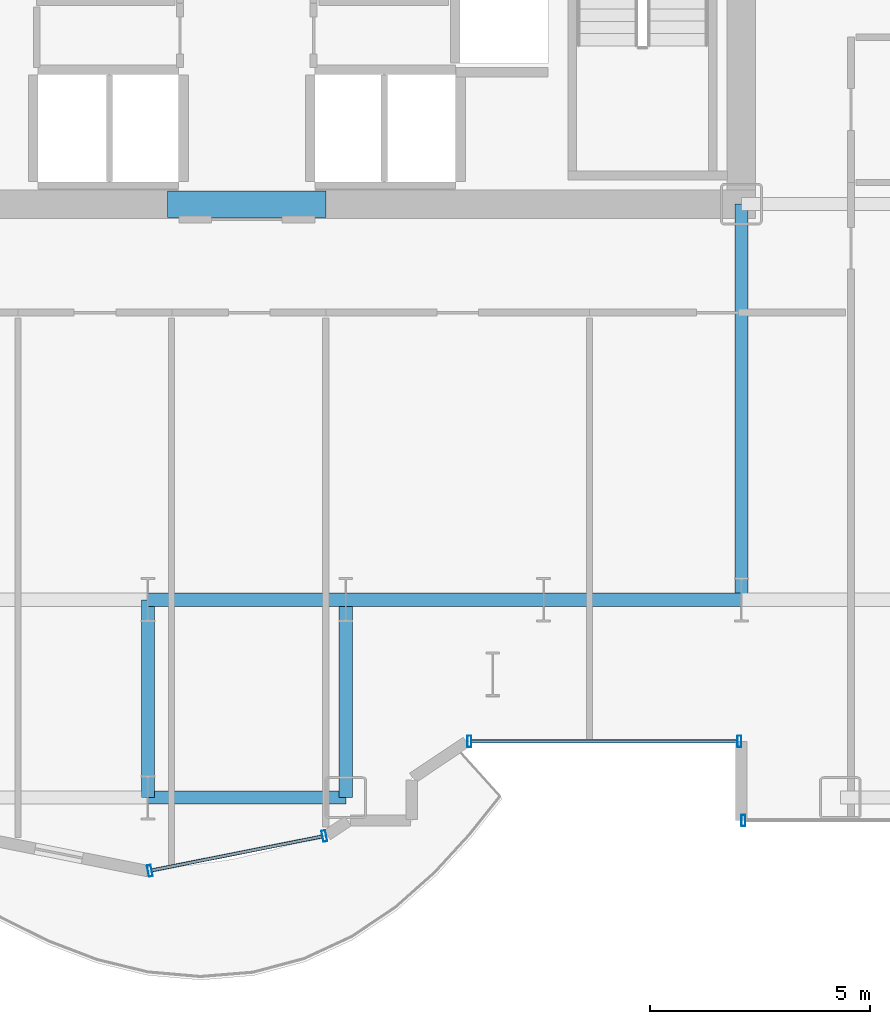
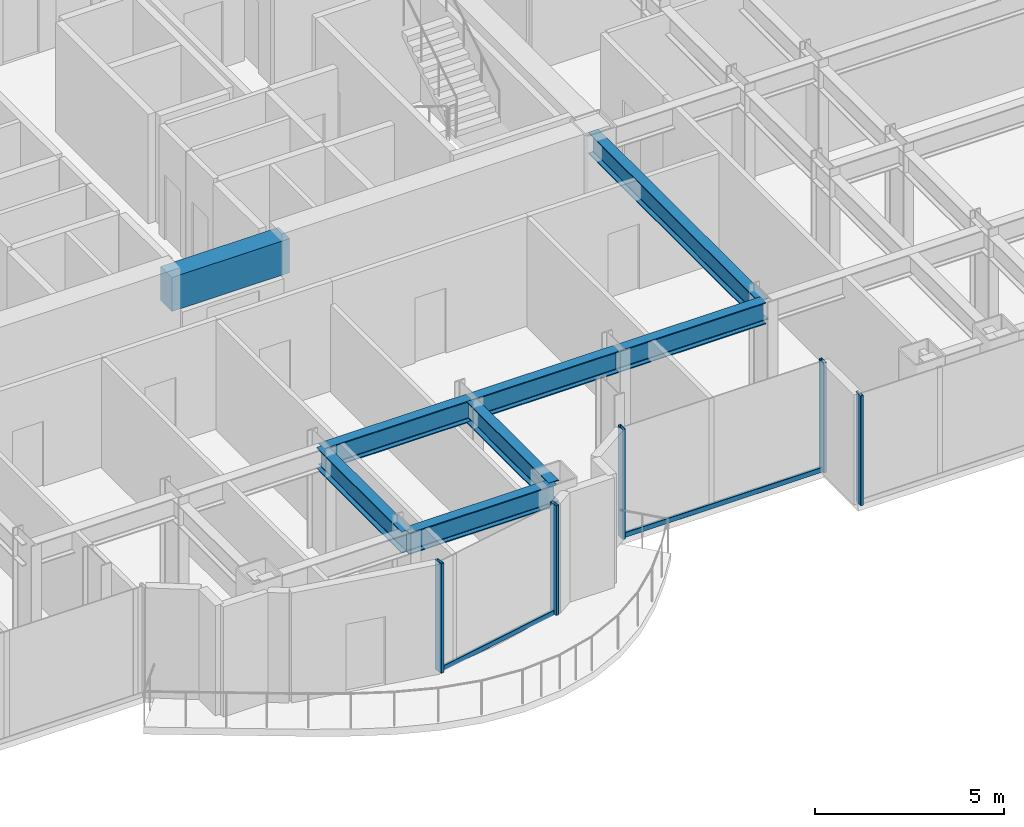
# One storey, part 8 of 29: 8 beams, 7 members, 3 elements without a shape of their own.
"""IFC4 building model written with IfcOpenShell, lengths in metres."""

import ifcopenshell
import ifcopenshell.guid

model = None  # the IFC model being written
_history = None  # IfcOwnerHistory: only IFC2X3 demands one
_inside = {}  # id of a spatial element -> (the spatial element, [elements in it])
_under = {}  # id of a project, library or spatial element -> (it, [spatial elements below it])
_declared = {}  # id of a project -> (the project, [libraries it declares])
_typed = {}  # id of a type object -> (the type object, [elements of that type])
_made_of = {}  # id of a material, layer set ... -> (it, [elements and type objects made of it])


def new_model(schema):
    """Start an empty IFC model of exactly this schema.

    Asked for "IFC4X3", IfcOpenShell would pick the latest addendum, in which some entities
    have other attributes; the version numbers below select the first issue.
    IFC2X3 requires an IfcOwnerHistory on every rooted entity: one is made here for all.
    """
    global model, _history
    if schema == "IFC4X3":
        model = ifcopenshell.file(schema_version=(4, 3, 0, 0))
    else:
        model = ifcopenshell.file(schema=schema)
    _inside.clear()
    _under.clear()
    _declared.clear()
    _typed.clear()
    _made_of.clear()
    _history = None
    if model.schema == "IFC2X3":
        org = make("IfcOrganization", Name="unknown")
        user = make(
            "IfcPersonAndOrganization",
            ThePerson=make("IfcPerson", FamilyName="unknown"),
            TheOrganization=org,
        )
        app = make(
            "IfcApplication",
            ApplicationDeveloper=org,
            Version="unknown",
            ApplicationFullName="unknown",
            ApplicationIdentifier="unknown",
        )
        _history = make(
            "IfcOwnerHistory",
            OwningUser=user,
            OwningApplication=app,
            ChangeAction="ADDED",
            CreationDate=0,
        )
    return model


def make(cls, **values):
    """One entity of the class cls with the attributes given. An attribute that is None is left unset."""
    return model.create_entity(
        cls, **{name: value for name, value in values.items() if value is not None}
    )


def rooted(cls, **values):
    """An entity with a GlobalId (a new one), such as an element, a storey or a relation."""
    return make(cls, GlobalId=ifcopenshell.guid.new(), OwnerHistory=_history, **values)


def si_unit(unit_type, name, prefix=None):
    """IfcSIUnit, for example si_unit("LENGTHUNIT", "METRE", prefix="MILLI")."""
    return make("IfcSIUnit", UnitType=unit_type, Prefix=prefix, Name=name)


def assignment(units):
    """IfcUnitAssignment: the units of a project."""
    return None if units is None else make("IfcUnitAssignment", Units=units)


def point(xyz):
    """IfcCartesianPoint."""
    return None if xyz is None else make("IfcCartesianPoint", Coordinates=xyz)


def direction(xyz):
    """IfcDirection."""
    return None if xyz is None else make("IfcDirection", DirectionRatios=xyz)


def frame(location, z_axis=None, x_axis=None):
    """IfcAxis2Placement3D, a coordinate frame: its origin and axes. An axis left out is left unset."""
    return make(
        "IfcAxis2Placement3D",
        Location=point(location),
        Axis=direction(z_axis),
        RefDirection=direction(x_axis),
    )


def frame_2d(location, x_axis=None):
    """IfcAxis2Placement2D, a coordinate frame in the plane: its origin and x axis."""
    return make(
        "IfcAxis2Placement2D", Location=point(location), RefDirection=direction(x_axis)
    )


def origin():
    """The frame at (0, 0, 0) with its axes left unset."""
    return frame((0.0, 0.0, 0.0))


def origin_2d():
    """The frame at (0, 0) in the plane with its x axis left unset."""
    return frame_2d((0.0, 0.0))


def place(relative_to, where):
    """IfcLocalPlacement: puts the frame where relative to a parent placement (None: the world)."""
    return make(
        "IfcLocalPlacement", PlacementRelTo=relative_to, RelativePlacement=where
    )


def context(
    kind, dimensions, precision=None, world=None, true_north=None, identifier=None
):
    """IfcGeometricRepresentationContext, for example the 3D "Model" context."""
    return make(
        "IfcGeometricRepresentationContext",
        ContextIdentifier=identifier,
        ContextType=kind,
        CoordinateSpaceDimension=dimensions,
        Precision=precision,
        WorldCoordinateSystem=world,
        TrueNorth=true_north,
    )


def subcontext(parent, identifier, kind, view, scale=None):
    """IfcGeometricRepresentationSubContext, for example "Body" below "Model"."""
    return make(
        "IfcGeometricRepresentationSubContext",
        ContextIdentifier=identifier,
        ContextType=kind,
        ParentContext=parent,
        TargetScale=scale,
        TargetView=view,
    )


def project(units=None, contexts=None):
    """IfcProject with its units and contexts."""
    return rooted(
        "IfcProject",
        Name="project",
        RepresentationContexts=contexts,
        UnitsInContext=assignment(units),
    )


def spatial(cls, under=None, at=None, **own):
    """A site, building, storey or space (cls), placed at a placement, below another one or the project."""
    s = rooted(cls, ObjectPlacement=at, **own)
    if under is not None:
        _under.setdefault(under.id(), (under, []))[1].append(s)
    return s


def profile(cls, at=None, kind="AREA", **sizes):
    """A parametric profile (cls). Its sizes go by their IFC names, for example OverallWidth=200.0."""
    return make(cls, ProfileType=kind, Position=at, **sizes)


def rectangle(**sizes):
    """IfcRectangleProfileDef."""
    return profile("IfcRectangleProfileDef", **sizes)


def hollow_rectangle(**sizes):
    """IfcRectangleHollowProfileDef."""
    return profile("IfcRectangleHollowProfileDef", **sizes)


def i_section(**sizes):
    """IfcIShapeProfileDef."""
    return profile("IfcIShapeProfileDef", **sizes)


def extrude(swept, where, along, depth):
    """IfcExtrudedAreaSolid: the profile swept, set in the frame where, extruded along a direction by depth."""
    return make(
        "IfcExtrudedAreaSolid",
        SweptArea=swept,
        Position=where,
        ExtrudedDirection=direction(along),
        Depth=depth,
    )


def shape(context_of_items, identifier, shape_type, items):
    """IfcShapeRepresentation: the items that make up one representation, for example the "Body"."""
    return make(
        "IfcShapeRepresentation",
        ContextOfItems=context_of_items,
        RepresentationIdentifier=identifier,
        RepresentationType=shape_type,
        Items=items,
    )


def source(mapping_origin, context_of_items, identifier, shape_type, items):
    """IfcRepresentationMap: a shape defined once, which mapped items show again and again."""
    return make(
        "IfcRepresentationMap",
        MappingOrigin=mapping_origin,
        MappedRepresentation=shape(context_of_items, identifier, shape_type, items),
    )


def transform(
    local_origin,
    x_axis=None,
    y_axis=None,
    z_axis=None,
    scale=None,
    scale2=None,
    scale3=None,
    uniform=True,
):
    """IfcCartesianTransformationOperator3D, or its non-uniform kind. x_axis, y_axis, z_axis: its Axis1, 2, 3."""
    if uniform:
        return make(
            "IfcCartesianTransformationOperator3D",
            Axis1=direction(x_axis),
            Axis2=direction(y_axis),
            LocalOrigin=point(local_origin),
            Scale=scale,
            Axis3=direction(z_axis),
        )
    return make(
        "IfcCartesianTransformationOperator3DnonUniform",
        Axis1=direction(x_axis),
        Axis2=direction(y_axis),
        LocalOrigin=point(local_origin),
        Scale=scale,
        Axis3=direction(z_axis),
        Scale2=scale2,
        Scale3=scale3,
    )


def mapped(mapping_source, mapping_target):
    """IfcMappedItem: shows the shape of a source again, moved by a transform."""
    return make(
        "IfcMappedItem", MappingSource=mapping_source, MappingTarget=mapping_target
    )


def material(Name=None, Category=None):
    """IfcMaterial."""
    return make("IfcMaterial", Name=Name, Category=Category)


def layer(
    of_material, thickness, ventilated=None, Name=None, Category=None, Priority=None
):
    """IfcMaterialLayer: one layer of a wall or slab, of a material (None: an air gap)."""
    return make(
        "IfcMaterialLayer",
        Material=of_material,
        LayerThickness=thickness,
        IsVentilated=ventilated,
        Name=Name,
        Category=Category,
        Priority=Priority,
    )


def layer_set(layers, Name=None):
    """IfcMaterialLayerSet."""
    return make("IfcMaterialLayerSet", MaterialLayers=layers, LayerSetName=Name)


def material_profile(
    of_material, cross_section, Name=None, Category=None, Priority=None
):
    """IfcMaterialProfile: a cross section and its material."""
    return make(
        "IfcMaterialProfile",
        Name=Name,
        Material=of_material,
        Profile=cross_section,
        Priority=Priority,
        Category=Category,
    )


def profile_set(profiles, Name=None, composite=None):
    """IfcMaterialProfileSet."""
    return make(
        "IfcMaterialProfileSet",
        Name=Name,
        MaterialProfiles=profiles,
        CompositeProfile=composite,
    )


def made_of(thing, what):
    """Note that an element or type object is made of a material, layer set ...; save() writes the relation."""
    if what is not None:
        _made_of.setdefault(what.id(), (what, []))[1].append(thing)
    return thing


def type_object(cls, material=None, **own):
    """A type object (cls), such as IfcWallType, which elements share."""
    return made_of(rooted(cls, **own), material)


def element(
    cls,
    number,
    at=None,
    inside=None,
    cuts=None,
    type_object=None,
    material=None,
    context=None,
    identifier="Body",
    shape_type=None,
    held_by="IfcProductDefinitionShape",
    body=None,
    shapes=None,
    **own,
):
    """One element of the class cls, such as IfcWall. Its Tag is "e" and its number.

    at: its placement. inside: the storey or other place that contains it. cuts: it is an
    opening in that element (IfcRelVoidsElement). A single representation is given by context,
    identifier, shape_type and body (its items); several are given by shapes. held_by: the class
    of the entity that holds the representations. save() writes the other relations.
    """
    e = rooted(cls, Tag="e%d" % number, ObjectPlacement=at, **own)
    if body is not None:
        shapes = [shape(context, identifier, shape_type, body)]
    if shapes is not None:
        e.Representation = make(held_by, Representations=shapes)
    if inside is not None:
        _inside.setdefault(inside.id(), (inside, []))[1].append(e)
    if cuts is not None:
        rooted(
            "IfcRelVoidsElement", RelatingBuildingElement=cuts, RelatedOpeningElement=e
        )
    if type_object is not None:
        _typed.setdefault(type_object.id(), (type_object, []))[1].append(e)
    return made_of(e, material)


def aggregate(whole, parts):
    """IfcRelAggregates: a whole, such as a stair, and the parts it consists of."""
    return rooted("IfcRelAggregates", RelatingObject=whole, RelatedObjects=parts)


def save(model, path):
    """Write the relations noted so far, then the file.

    IfcRelAggregates (storeys below a building ...), IfcRelContainedInSpatialStructure (elements
    in a storey), IfcRelDefinesByType, IfcRelAssociatesMaterial and IfcRelDeclares: one each for
    every whole, place, type object, material and project.
    """
    for whole, parts in _under.values():
        aggregate(whole, parts)
    for where, things in _inside.values():
        rooted(
            "IfcRelContainedInSpatialStructure",
            RelatedElements=things,
            RelatingStructure=where,
        )
    for kind, things in _typed.values():
        rooted("IfcRelDefinesByType", RelatedObjects=things, RelatingType=kind)
    for what, things in _made_of.values():
        rooted("IfcRelAssociatesMaterial", RelatedObjects=things, RelatingMaterial=what)
    for by, libraries in _declared.values():
        rooted("IfcRelDeclares", RelatingContext=by, RelatedDefinitions=libraries)
    model.write(path)


model = new_model("IFC4")

# Units and contexts
model_context = context("Model", 3, precision=1e-05, world=origin(), true_north=direction((0.0, 1.0)))
body_context = subcontext(model_context, "Body", "Model", "MODEL_VIEW")
ifc_project = project(units=[si_unit("LENGTHUNIT", "METRE"), si_unit("AREAUNIT", "SQUARE_METRE"), si_unit("VOLUMEUNIT", "CUBIC_METRE"), si_unit("PLANEANGLEUNIT", "RADIAN"), si_unit("MASSUNIT", "GRAM", prefix="KILO")], contexts=[model_context])

# Site, building, storey
site_placement = place(None, origin())
site = spatial("IfcSite", under=ifc_project, at=site_placement, CompositionType="ELEMENT")
building_placement = place(site_placement, origin())
building = spatial("IfcBuilding", under=site, at=building_placement, Name="Nefas-Gora Pilgrimage Tower", CompositionType="ELEMENT")
storey_placement = place(building_placement, frame((0.0, 0.0, 55.800048828125)))
storey = spatial("IfcBuildingStorey", under=building, at=storey_placement, Name="L12", CompositionType="ELEMENT", Elevation=55.800048828125)

# Beams
ifc_material_1 = material(Name="Concrete C60/75", Category="concrete")
ifc_material_profile_1 = material_profile(ifc_material_1, rectangle(XDim=0.60009765625, YDim=1.10009765625, at=origin_2d()), Name="RC 600x1100")
ifc_profile_set_1 = profile_set([ifc_material_profile_1], Name="Concrete C60/75")
beam_type_1 = type_object("IfcBeamType", Name="BM-LIN-RC1100", PredefinedType="LINTEL", material=ifc_profile_set_1)
shared_shape_1 = source(origin(), body_context, "Body", "SweptSolid", [
    extrude(rectangle(XDim=0.60009765625, YDim=1.10009765625, at=origin_2d()), origin(), (0.0, 0.0, 1.0), 3.60009765625),
])
beam_1_placement = place(storey_placement, frame((-1.800048828125, -9.0, 3.0), z_axis=(1.0, 0.0, 0.0), x_axis=(0.0, 1.0, 0.0)))
element("IfcBeam", 1, at=beam_1_placement, inside=storey, type_object=beam_type_1, Name="L12 Core Coupling Lintel Beam S", PredefinedType="LINTEL", context=body_context, shape_type="MappedRepresentation", body=[
    mapped(shared_shape_1, transform((0.0, 0.0, 0.0), x_axis=(1.0, 0.0, 0.0), y_axis=(0.0, 1.0, 0.0), z_axis=(0.0, 0.0, 1.0), scale=1.0)),
])
ifc_material_2 = material(Name="Steel S355", Category="steel")
ifc_material_profile_2 = material_profile(ifc_material_2, i_section(OverallWidth=0.300048828125, OverallDepth=0.699951171875, WebThickness=0.01708984375, FlangeThickness=0.031982421875, FilletRadius=0.027099609375, at=origin_2d()), Name="HEB 700")
ifc_profile_set_2 = profile_set([ifc_material_profile_2], Name="Steel S355")
beam_type_2 = type_object("IfcBeamType", Name="BM-GIR-HEB700", PredefinedType="BEAM", material=ifc_profile_set_2)
shared_shape_2 = source(origin(), body_context, "Body", "SweptSolid", [
    extrude(i_section(OverallWidth=0.300048828125, OverallDepth=0.699951171875, WebThickness=0.01708984375, FlangeThickness=0.031982421875, FilletRadius=0.027099609375, at=origin_2d()), origin(), (0.0, 0.0, 1.0), 9.0),
])
beam_2_placement = place(storey_placement, frame((11.25, -18.0, 3.199951171875), z_axis=(0.0, 1.0, 0.0), x_axis=(-1.0, 0.0, 0.0)))
element("IfcBeam", 2, at=beam_2_placement, inside=storey, type_object=beam_type_2, Name="L12 G-02 beam", PredefinedType="BEAM", context=body_context, shape_type="MappedRepresentation", body=[
    mapped(shared_shape_2, transform((0.0, 0.0, 0.0), x_axis=(1.0, 0.0, 0.0), y_axis=(0.0, 1.0, 0.0), z_axis=(0.0, 0.0, 1.0), scale=1.0)),
])
shared_shape_3 = source(origin(), body_context, "Body", "SweptSolid", [
    extrude(i_section(OverallWidth=0.300048828125, OverallDepth=0.699951171875, WebThickness=0.01708984375, FlangeThickness=0.031982421875, FilletRadius=0.027099609375, at=origin_2d()), origin(), (0.0, 0.0, 1.0), 4.5),
])
for number, where, z_axis, x_axis, name in (
    (3, (-2.25, -22.5, 3.199951171875), (0.0, 1.0, 0.0), (-1.0, 0.0, 0.0), "L12 G-02 beam"),
    (4, (-2.25, -22.5, 3.199951171875), (1.0, 0.0, 0.0), (0.0, 1.0, 0.0), "L12 G-02 beam"),
    (5, (-2.25, -18.0, 3.199951171875), (1.0, 0.0, 0.0), (0.0, 1.0, 0.0), "L12 G-02 beam"),
    (6, (2.25, -22.5, 3.199951171875), (0.0, 1.0, 0.0), (-1.0, 0.0, 0.0), "L12 G-02 beam"),
    (7, (2.25, -18.0, 3.199951171875), (1.0, 0.0, 0.0), (0.0, 1.0, 0.0), "L12 G-02 beam"),
    (8, (6.75, -18.0, 3.199951171875), (1.0, 0.0, 0.0), (0.0, 1.0, 0.0), "L12 G-02 beam"),
):
    element("IfcBeam", number, at=place(storey_placement, frame(where, z_axis=z_axis, x_axis=x_axis)), inside=storey, type_object=beam_type_2, Name=name, PredefinedType="BEAM", context=body_context, shape_type="MappedRepresentation", body=[
        mapped(shared_shape_3, transform((0.0, 0.0, 0.0), x_axis=(1.0, 0.0, 0.0), y_axis=(0.0, 1.0, 0.0), z_axis=(0.0, 0.0, 1.0), scale=1.0)),
    ])

# Curtain wall, members
ifc_material_3 = material(Name="Dark ceramic-fritted solar-control aluminium-glass curtain wall", Category="aluminium")
ifc_layer_1 = layer(ifc_material_3, 0.219970703125)
ifc_layer_set_1 = layer_set([ifc_layer_1], Name="Dark ceramic-fritted solar-control aluminium-glass curtain wall")
curtain_wall_type_1 = type_object("IfcCurtainWallType", Name="CW-SYS-5", PredefinedType="NOTDEFINED", material=ifc_layer_set_1)
curtain_wall_1_placement = place(storey_placement, origin())
curtain_wall_1 = element("IfcCurtainWall", 9, at=curtain_wall_1_placement, inside=storey, type_object=curtain_wall_type_1, Name="L12 Unitised Curtain Wall CW5", PredefinedType="NOTDEFINED")
ifc_material_4 = material(Name="Anodised architectural aluminium", Category="aluminium")
ifc_material_profile_3 = material_profile(ifc_material_4, hollow_rectangle(XDim=0.090087890625, YDim=0.260009765625, WallThickness=0.006103515625, InnerFilletRadius=0.006103515625, OuterFilletRadius=0.011962890625, at=origin_2d()), Name="ALU MULLION 90x260")
ifc_profile_set_3 = profile_set([ifc_material_profile_3], Name="Anodised architectural aluminium")
member_type_1 = type_object("IfcMemberType", Name="CWM-MUL-5", PredefinedType="MULLION", material=ifc_profile_set_3)
shared_shape_4 = source(origin(), body_context, "Body", "SweptSolid", [
    extrude(hollow_rectangle(XDim=0.090087890625, YDim=0.260009765625, WallThickness=0.006103515625, InnerFilletRadius=0.006103515625, OuterFilletRadius=0.011962890625, at=origin_2d()), origin(), (0.0, 0.0, 1.0), 3.550048828125),
])
member_1_placement = place(storey_placement, frame((5.06298828125, -21.219970703125, 0.0), z_axis=(0.0, 0.0, 1.0), x_axis=(1.0, 0.0, 0.0)))
member_1 = element("IfcMember", 10, at=member_1_placement, type_object=member_type_1, Name="CW5 Mullion 1", PredefinedType="MULLION", context=body_context, shape_type="MappedRepresentation", body=[
    mapped(shared_shape_4, transform((0.0, 0.0, 0.0), x_axis=(1.0, 0.0, 0.0), y_axis=(0.0, 1.0, 0.0), z_axis=(0.0, 0.0, 1.0), scale=1.0)),
])
member_2_placement = place(storey_placement, frame((11.205078125, -21.219970703125, 0.0), z_axis=(0.0, 0.0, 1.0), x_axis=(1.0, 0.0, 0.0)))
member_2 = element("IfcMember", 11, at=member_2_placement, type_object=member_type_1, Name="CW5 Mullion 2", PredefinedType="MULLION", context=body_context, shape_type="MappedRepresentation", body=[
    mapped(shared_shape_4, transform((0.0, 0.0, 0.0), x_axis=(1.0, 0.0, 0.0), y_axis=(0.0, 1.0, 0.0), z_axis=(0.0, 0.0, 1.0), scale=1.0)),
])

curtain_wall_2_placement = place(storey_placement, origin())
curtain_wall_2 = element("IfcCurtainWall", 12, at=curtain_wall_2_placement, inside=storey, type_object=curtain_wall_type_1, Name="L12 Unitised Curtain Wall CW5", PredefinedType="NOTDEFINED")
member_3_placement = place(storey_placement, frame((-2.205810546875, -24.16357421875, 0.0), z_axis=(0.0, 0.0, 1.0), x_axis=(0.980782896852, 0.195102304554, 0.0)))
member_3 = element("IfcMember", 13, at=member_3_placement, type_object=member_type_1, Name="CW5 Mullion 1", PredefinedType="MULLION", context=body_context, shape_type="MappedRepresentation", body=[
    mapped(shared_shape_4, transform((0.0, 0.0, 0.0), x_axis=(1.0, 0.0, 0.0), y_axis=(0.0, 1.0, 0.0), z_axis=(0.0, 0.0, 1.0), scale=1.0)),
])
member_4_placement = place(storey_placement, frame((1.76318359375, -23.3740234375, 0.0), z_axis=(0.0, 0.0, 1.0), x_axis=(0.980782896852, 0.195102304554, 0.0)))
member_4 = element("IfcMember", 14, at=member_4_placement, type_object=member_type_1, Name="CW5 Mullion 2", PredefinedType="MULLION", context=body_context, shape_type="MappedRepresentation", body=[
    mapped(shared_shape_4, transform((0.0, 0.0, 0.0), x_axis=(1.0, 0.0, 0.0), y_axis=(0.0, 1.0, 0.0), z_axis=(0.0, 0.0, 1.0), scale=1.0)),
])

# Member
ifc_material_profile_4 = material_profile(ifc_material_4, hollow_rectangle(XDim=0.080078125, YDim=0.159912109375, WallThickness=0.00439453125, InnerFilletRadius=0.00439453125, OuterFilletRadius=0.009033203125, at=origin_2d()), Name="ALU TRANSOM 80x160")
ifc_profile_set_4 = profile_set([ifc_material_profile_4], Name="Anodised architectural aluminium")
member_type_2 = type_object("IfcMemberType", Name="CWM-TRN-5", PredefinedType="USERDEFINED", material=ifc_profile_set_4)
shared_shape_5 = source(origin(), body_context, "Body", "SweptSolid", [
    extrude(hollow_rectangle(XDim=0.080078125, YDim=0.159912109375, WallThickness=0.00439453125, InnerFilletRadius=0.00439453125, OuterFilletRadius=0.009033203125, at=origin_2d()), origin(), (0.0, 0.0, 1.0), 6.052001953125),
])
member_5_placement = place(storey_placement, frame((5.10791015625, -21.219970703125, 0.050048828125), z_axis=(1.0, 0.0, 0.0), x_axis=(0.0, 1.0, 0.0)))
member_5 = element("IfcMember", 15, at=member_5_placement, type_object=member_type_2, Name="CW5 Spandrel Transom", ObjectType="TRANSOM", PredefinedType="USERDEFINED", context=body_context, shape_type="MappedRepresentation", body=[
    mapped(shared_shape_5, transform((0.0, 0.0, 0.0), x_axis=(1.0, 0.0, 0.0), y_axis=(0.0, 1.0, 0.0), z_axis=(0.0, 0.0, 1.0), scale=1.0)),
])

aggregate(curtain_wall_1, [member_1, member_2, member_5])

# Curtain wall, member
ifc_layer_2 = layer(ifc_material_3, 0.219970703125)
ifc_layer_set_2 = layer_set([ifc_layer_2], Name="Dark ceramic-fritted solar-control aluminium-glass curtain wall")
curtain_wall_type_2 = type_object("IfcCurtainWallType", Name="CW-SYS-2", PredefinedType="NOTDEFINED", material=ifc_layer_set_2)
curtain_wall_3_placement = place(storey_placement, origin())
curtain_wall_3 = element("IfcCurtainWall", 16, at=curtain_wall_3_placement, inside=storey, type_object=curtain_wall_type_2, Name="L12 Unitised Curtain Wall CW2", PredefinedType="NOTDEFINED")
ifc_material_profile_5 = material_profile(ifc_material_4, hollow_rectangle(XDim=0.090087890625, YDim=0.260009765625, WallThickness=0.006103515625, InnerFilletRadius=0.006103515625, OuterFilletRadius=0.011962890625, at=origin_2d()), Name="ALU MULLION 90x260")
ifc_profile_set_5 = profile_set([ifc_material_profile_5], Name="Anodised architectural aluminium")
member_type_3 = type_object("IfcMemberType", Name="CWM-MUL-2", PredefinedType="MULLION", material=ifc_profile_set_5)
shared_shape_6 = source(origin(), body_context, "Body", "SweptSolid", [
    extrude(hollow_rectangle(XDim=0.090087890625, YDim=0.260009765625, WallThickness=0.006103515625, InnerFilletRadius=0.006103515625, OuterFilletRadius=0.011962890625, at=origin_2d()), origin(), (0.0, 0.0, 1.0), 3.550048828125),
])
member_6_placement = place(storey_placement, frame((11.294921875, -23.02001953125, 0.0), z_axis=(0.0, 0.0, 1.0), x_axis=(1.0, 0.0, 0.0)))
member_6 = element("IfcMember", 17, at=member_6_placement, type_object=member_type_3, Name="CW2 Mullion 1", PredefinedType="MULLION", context=body_context, shape_type="MappedRepresentation", body=[
    mapped(shared_shape_6, transform((0.0, 0.0, 0.0), x_axis=(1.0, 0.0, 0.0), y_axis=(0.0, 1.0, 0.0), z_axis=(0.0, 0.0, 1.0), scale=1.0)),
])
aggregate(curtain_wall_3, [member_6])

# Member
shared_shape_7 = source(origin(), body_context, "Body", "SweptSolid", [
    extrude(hollow_rectangle(XDim=0.080078125, YDim=0.159912109375, WallThickness=0.00439453125, InnerFilletRadius=0.00439453125, OuterFilletRadius=0.009033203125, at=origin_2d()), origin(), (0.0, 0.0, 1.0), 3.95654296875),
])
member_7_placement = place(storey_placement, frame((-2.16162109375, -24.15478515625, 0.050048828125), z_axis=(0.980781880918, 0.195107411605, 0.0), x_axis=(-0.195107411605, 0.980781880918, 0.0)))
member_7 = element("IfcMember", 18, at=member_7_placement, type_object=member_type_2, Name="CW5 Spandrel Transom", ObjectType="TRANSOM", PredefinedType="USERDEFINED", context=body_context, shape_type="MappedRepresentation", body=[
    mapped(shared_shape_7, transform((0.0, 0.0, 0.0), x_axis=(1.0, 0.0, 0.0), y_axis=(0.0, 1.0, 0.0), z_axis=(0.0, 0.0, 1.0), scale=1.0)),
])

aggregate(curtain_wall_2, [member_3, member_4, member_7])

save(model, "model.ifc")
